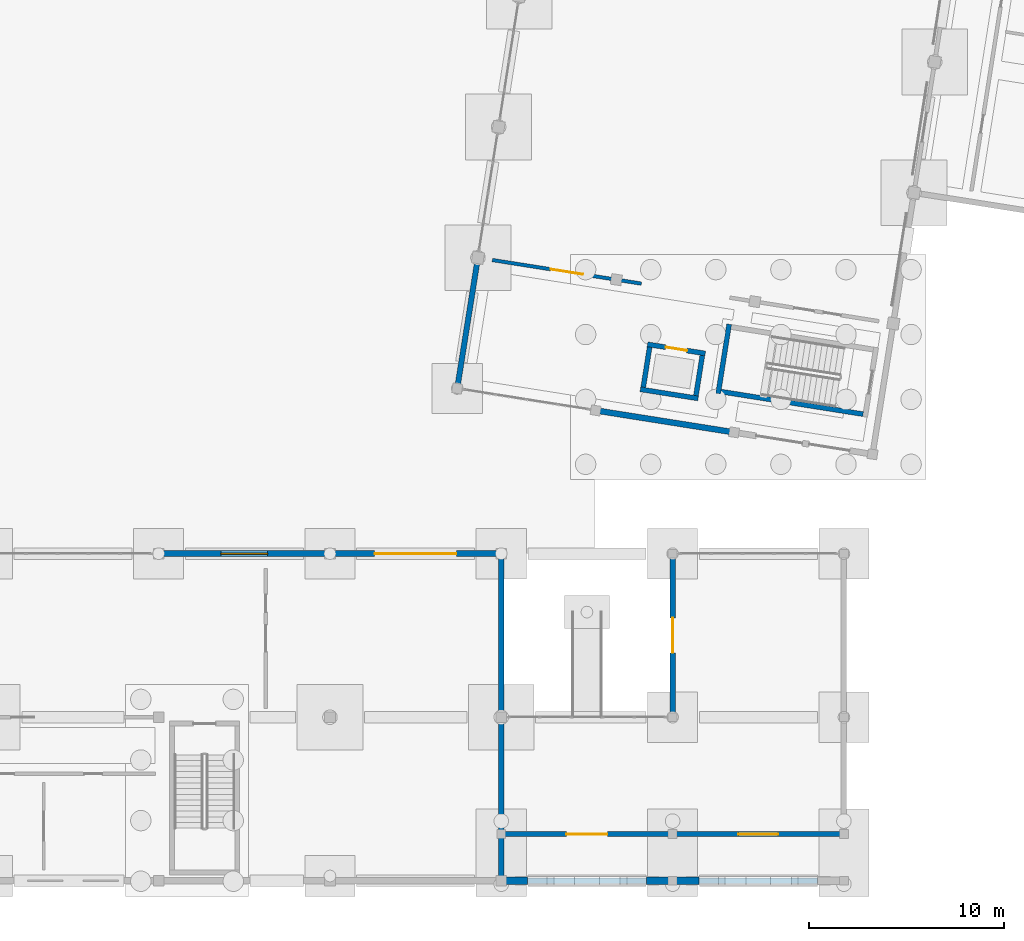
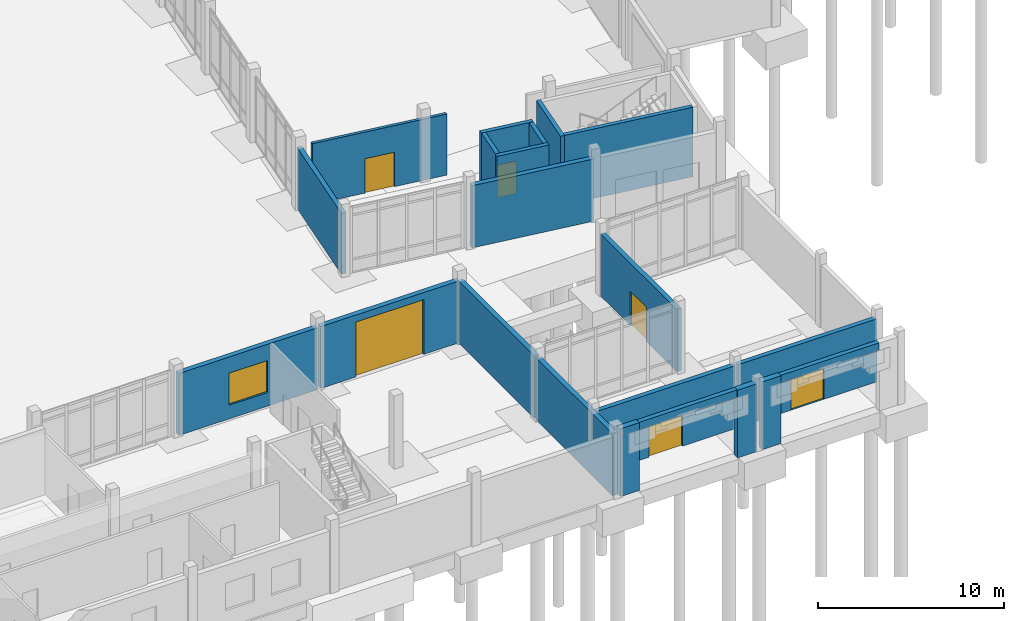
# One storey, part 45 of 72: 21 walls, 6 doors, 1 window, 7 openings.
"""IFC4 building model written with IfcOpenShell, lengths in metres."""

from ifc_helpers import new_model, si_unit, direction, frame, frame_2d, origin, place, context, subcontext, project, spatial, rectangle, extrude, material, layer, layer_set, type_object, element, fill, save


model = new_model("IFC4")

# Units and contexts
model_context = context("Model", 3, precision=1e-05, world=origin(), true_north=direction((0.0, 1.0)))
body_context = subcontext(model_context, "Body", "Model", "MODEL_VIEW")
ifc_project = project(units=[si_unit("LENGTHUNIT", "METRE"), si_unit("AREAUNIT", "SQUARE_METRE"), si_unit("VOLUMEUNIT", "CUBIC_METRE"), si_unit("PLANEANGLEUNIT", "RADIAN"), si_unit("MASSUNIT", "GRAM", prefix="KILO")], contexts=[model_context])

# Site, building, storey
site_placement = place(None, origin())
site = spatial("IfcSite", under=ifc_project, at=site_placement, CompositionType="ELEMENT")
building_placement = place(site_placement, origin())
building = spatial("IfcBuilding", under=site, at=building_placement, Name="Cinderway Yard Community Centre", CompositionType="ELEMENT")
storey_placement = place(building_placement, origin())
storey = spatial("IfcBuildingStorey", under=building, at=storey_placement, Name="L00", CompositionType="ELEMENT", Elevation=0.0)

# Walls
ifc_material_1 = material(Name="Brick Masonry", Category="masonry")
ifc_layer_1 = layer(ifc_material_1, 0.360107421875, Name="Brick Masonry")
ifc_layer_set_1 = layer_set([ifc_layer_1], Name="Brick Masonry")
wall_type_1 = type_object("IfcWallType", Name="ENV-WAL-ARCH360", PredefinedType="SOLIDWALL", material=ifc_layer_set_1)
for number, where, z_axis, x_axis, name in (
    (1, (119.3798828125, 6.0, 0.0), (0.0, 0.0, 1.0), (1.0, 0.0, 0.0), "East Storm Arcade West Niche Pier 2A ENV-WAL-L00-0200"),
    (2, (126.64990234375, 6.0, 0.0), (0.0, 0.0, 1.0), (1.0, 0.0, 0.0), "East Storm Arcade West Niche Pier 2B ENV-WAL-L00-0201"),
    (3, (128.179931640625, 6.0, 0.0), (0.0, 0.0, 1.0), (1.0, 0.0, 0.0), "East Storm Arcade East Niche Pier 3A ENV-WAL-L00-0203"),
):
    element("IfcWall", number, at=place(storey_placement, frame(where, z_axis=z_axis, x_axis=x_axis)), inside=storey, type_object=wall_type_1, Name=name, PredefinedType="SOLIDWALL", context=body_context, shape_type="SweptSolid", body=[
        extrude(rectangle(XDim=1.170166015625, YDim=0.360107421875, at=frame_2d((0.5849609375, 0.0))), origin(), (0.0, 0.0, 1.0), 4.449951171875),
    ])
ifc_material_2 = material(Name="Concrete C35/45", Category="concrete")
ifc_layer_2 = layer(ifc_material_2, 0.280029296875, Name="Concrete C35/45")
ifc_layer_set_2 = layer_set([ifc_layer_2], Name="Concrete C35/45")
wall_type_2 = type_object("IfcWallType", Name="ENV-WAL-EXT280", PredefinedType="SOLIDWALL", material=ifc_layer_set_2)
wall_1_placement = place(storey_placement, frame((116.948974609375, 31.363037109375, 0.0), z_axis=(0.0, 0.0, 1.0), x_axis=(0.156349649217, 0.987701770369, 0.0)))
element("IfcWall", 4, at=wall_1_placement, inside=storey, type_object=wall_type_2, Name="Sports Return Wall ENV-WAL-L00-0060", PredefinedType="SOLIDWALL", context=body_context, shape_type="SweptSolid", body=[
    extrude(rectangle(XDim=6.639404296875, YDim=0.280029296875, at=frame_2d((3.31982421875, 0.0))), origin(), (0.0, 0.0, 1.0), 4.006103515625),
])
for number, where, z_axis, x_axis, name in (
    (5, (120.550048828125, 6.0, 3.949951171875), (0.0, 0.0, 1.0), (1.0, 0.0, 0.0), "East Storm Arcade West Niche Spandrel 2 ENV-WAL-L00-0202"),
    (6, (129.35009765625, 6.0, 3.949951171875), (0.0, 0.0, 1.0), (1.0, 0.0, 0.0), "East Storm Arcade East Niche Spandrel 3 ENV-WAL-L00-0205"),
):
    element("IfcWall", number, at=place(storey_placement, frame(where, z_axis=z_axis, x_axis=x_axis)), inside=storey, type_object=wall_type_2, Name=name, PredefinedType="SOLIDWALL", context=body_context, shape_type="SweptSolid", body=[
        extrude(rectangle(XDim=6.099853515625, YDim=0.280029296875, at=frame_2d((3.0498046875, 0.0))), origin(), (0.0, 0.0, 1.0), 0.5),
    ])

# Wall, opening, door
wall_2_placement = place(storey_placement, frame((119.300048828125, 8.39990234375, 0.0), z_axis=(0.0, 0.0, 1.0), x_axis=(1.0, 0.0, 0.0)))
wall_2 = element("IfcWall", 7, at=wall_2_placement, inside=storey, type_object=wall_type_2, Name="East Arcade Inner Portal Wall ENV-WAL-L00-0231", PredefinedType="SOLIDWALL", context=body_context, shape_type="SweptSolid", body=[
    extrude(rectangle(XDim=8.599853515625, YDim=0.280029296875, at=frame_2d((4.2998046875, 0.0))), origin(), (0.0, 0.0, 1.0), 4.135009765625),
])
opening_1_placement = place(wall_2_placement, frame((3.25, 0.0, 0.0)))
opening_1 = element("IfcOpeningElement", 8, at=opening_1_placement, cuts=wall_2, Name="Opening D-EX2", PredefinedType="OPENING", context=body_context, shape_type="SweptSolid", body=[
    extrude(rectangle(XDim=2.10009765625, YDim=2.35009765625, at=frame_2d((1.050048828125, 1.175048828125))), frame((0.0, 0.14990234375, 0.0), z_axis=(0.0, -1.0, 0.0), x_axis=(1.0, 0.0, 0.0)), (0.0, 0.0, 1.0), 0.300048828125),
])
ifc_material_3 = material(Name="Aluminium 6063-T6", Category="aluminium")
door_type_1 = type_object("IfcDoorType", Name="INT-DOR-EXT210", OperationType="DOUBLE_DOOR_SINGLE_SWING", PredefinedType="DOOR", material=ifc_material_3)
door_1_placement = place(opening_1_placement, origin())
door_1 = element("IfcDoor", 9, at=door_1_placement, inside=storey, type_object=door_type_1, Name="East Storm Arcade Portal A EXT-DOR-L00-0082", OperationType="DOUBLE_DOOR_SINGLE_SWING", OverallHeight=2.35009765625, OverallWidth=2.10009765625, PredefinedType="DOOR", context=body_context, shape_type="SweptSolid", body=[
    extrude(rectangle(XDim=2.10009765625, YDim=2.35009765625, at=frame_2d((1.050048828125, 1.175048828125))), frame((0.0, 0.02490234375, 0.0), z_axis=(0.0, -1.0, 0.0), x_axis=(1.0, 0.0, 0.0)), (0.0, 0.0, 1.0), 0.050048828125),
])
fill(opening_1, door_1)

wall_3_placement = place(storey_placement, frame((128.10009765625, 8.39990234375, 0.0), z_axis=(0.0, 0.0, 1.0), x_axis=(1.0, 0.0, 0.0)))
wall_3 = element("IfcWall", 10, at=wall_3_placement, inside=storey, type_object=wall_type_2, Name="East Arcade Inner Portal Wall ENV-WAL-L00-0232", PredefinedType="SOLIDWALL", context=body_context, shape_type="SweptSolid", body=[
    extrude(rectangle(XDim=8.599853515625, YDim=0.280029296875, at=frame_2d((4.2998046875, 0.0))), origin(), (0.0, 0.0, 1.0), 4.135009765625),
])
opening_2_placement = place(wall_3_placement, frame((3.27490234375, 0.0, 0.0)))
opening_2 = element("IfcOpeningElement", 11, at=opening_2_placement, cuts=wall_3, Name="Opening G-04", PredefinedType="OPENING", context=body_context, shape_type="SweptSolid", body=[
    extrude(rectangle(XDim=2.050048828125, YDim=2.320068359375, at=frame_2d((1.02490234375, 1.16015625))), frame((0.0, 0.14990234375, 0.0), z_axis=(0.0, -1.0, 0.0), x_axis=(1.0, 0.0, 0.0)), (0.0, 0.0, 1.0), 0.300048828125),
])
ifc_material_4 = material(Name="Painted Galvanised Steel", Category="steel")
door_type_2 = type_object("IfcDoorType", Name="INT-GAT-YARD205", OperationType="DOUBLE_DOOR_SINGLE_SWING", PredefinedType="GATE", material=ifc_material_4)
door_2_placement = place(opening_2_placement, origin())
door_2 = element("IfcDoor", 12, at=door_2_placement, inside=storey, type_object=door_type_2, Name="East Storm Arcade Gate B EXT-DOR-L00-0083", OperationType="DOUBLE_DOOR_SINGLE_SWING", OverallHeight=2.320068359375, OverallWidth=2.050048828125, PredefinedType="GATE", context=body_context, shape_type="SweptSolid", body=[
    extrude(rectangle(XDim=2.050048828125, YDim=2.320068359375, at=frame_2d((1.02490234375, 1.16015625))), frame((0.0, 0.02490234375, 0.0), z_axis=(0.0, -1.0, 0.0), x_axis=(1.0, 0.0, 0.0)), (0.0, 0.0, 1.0), 0.050048828125),
])
fill(opening_2, door_2)

wall_4_placement = place(storey_placement, frame((128.0, 14.449951171875, 0.0), z_axis=(0.0, 0.0, 1.0), x_axis=(0.0, 1.0, 0.0)))
wall_4 = element("IfcWall", 13, at=wall_4_placement, inside=storey, type_object=wall_type_2, Name="East Arcade Flank Wall ENV-WAL-L00-0233", PredefinedType="SOLIDWALL", context=body_context, shape_type="SweptSolid", body=[
    extrude(rectangle(XDim=8.199951171875, YDim=0.280029296875, at=frame_2d((4.10009765625, 0.0))), origin(), (0.0, 0.0, 1.0), 4.0849609375),
])
opening_3_placement = place(wall_4_placement, frame((3.25, 0.0, 0.0)))
opening_3 = element("IfcOpeningElement", 14, at=opening_3_placement, cuts=wall_4, Name="Opening D-EX3", PredefinedType="OPENING", context=body_context, shape_type="SweptSolid", body=[
    extrude(rectangle(XDim=1.800048828125, YDim=2.25, at=frame_2d((0.89990234375, 1.125))), frame((0.0, 0.14990234375, 0.0), z_axis=(0.0, -1.0, 0.0), x_axis=(1.0, 0.0, 0.0)), (0.0, 0.0, 1.0), 0.300048828125),
])
door_type_3 = type_object("IfcDoorType", Name="INT-DOR-EXT180", OperationType="DOUBLE_DOOR_SINGLE_SWING", PredefinedType="DOOR", material=ifc_material_3)
door_3_placement = place(opening_3_placement, origin())
door_3 = element("IfcDoor", 15, at=door_3_placement, inside=storey, type_object=door_type_3, Name="Courtyard Arts Kiosk Exit EXT-DOR-L00-0084", OperationType="DOUBLE_DOOR_SINGLE_SWING", OverallHeight=2.25, OverallWidth=1.800048828125, PredefinedType="DOOR", context=body_context, shape_type="SweptSolid", body=[
    extrude(rectangle(XDim=1.800048828125, YDim=2.25, at=frame_2d((0.89990234375, 1.125))), frame((0.0, 0.02490234375, 0.0), z_axis=(0.0, -1.0, 0.0), x_axis=(1.0, 0.0, 0.0)), (0.0, 0.0, 1.0), 0.050048828125),
])
fill(opening_3, door_3)

# Wall
ifc_layer_3 = layer(ifc_material_1, 0.300048828125, Name="Brick Masonry")
ifc_layer_set_3 = layer_set([ifc_layer_3], Name="Brick Masonry")
wall_type_3 = type_object("IfcWallType", Name="ENV-WAL-EXT300", PredefinedType="SOLIDWALL", material=ifc_layer_set_3)
wall_5_placement = place(storey_placement, frame((124.14599609375, 30.14208984375, 0.0), z_axis=(0.0, 0.0, 1.0), x_axis=(0.987690751091, -0.156419245009, 0.0)))
element("IfcWall", 16, at=wall_5_placement, inside=storey, type_object=wall_type_3, Name="Sports South Brick Wall ENV-WAL-L00-0053", PredefinedType="SOLIDWALL", context=body_context, shape_type="SweptSolid", body=[
    extrude(rectangle(XDim=7.000244140625, YDim=0.300048828125, at=frame_2d((3.5, 0.0))), origin(), (0.0, 0.0, 1.0), 4.0849609375),
])

# Wall, opening, window
wall_6_placement = place(storey_placement, frame((101.699951171875, 22.800048828125, 0.0), z_axis=(0.0, 0.0, 1.0), x_axis=(1.0, 0.0, 0.0)))
wall_6 = element("IfcWall", 17, at=wall_6_placement, inside=storey, type_object=wall_type_3, Name="Dining North Brick Wall ENV-WAL-L00-0099", PredefinedType="SOLIDWALL", context=body_context, shape_type="SweptSolid", body=[
    extrude(rectangle(XDim=8.60009765625, YDim=0.300048828125, at=frame_2d((4.300048828125, 0.0))), origin(), (0.0, 0.0, 1.0), 4.06494140625),
])
opening_4_placement = place(wall_6_placement, frame((3.10009765625, 0.0, 0.89990234375)))
opening_4 = element("IfcOpeningElement", 18, at=opening_4_placement, cuts=wall_6, Name="Opening W-16", PredefinedType="OPENING", context=body_context, shape_type="SweptSolid", body=[
    extrude(rectangle(XDim=2.39990234375, YDim=2.10009765625, at=frame_2d((1.199951171875, 1.050048828125))), frame((0.0, 0.159912109375, 0.0), z_axis=(0.0, -1.0, 0.0), x_axis=(1.0, 0.0, 0.0)), (0.0, 0.0, 1.0), 0.320068359375),
])
ifc_material_5 = material(Name="Laminated Low-E Glass", Category="glass")
window_type = type_object("IfcWindowType", Name="ENV-WIN-W16", PartitioningType="TRIPLE_PANEL_VERTICAL", PredefinedType="WINDOW", material=ifc_material_5)
window_placement = place(opening_4_placement, origin())
window = element("IfcWindow", 19, at=window_placement, inside=storey, type_object=window_type, Name="Exterior window ENV-WIN-L00-0071", OverallHeight=2.10009765625, OverallWidth=2.39990234375, PartitioningType="SINGLE_PANEL", PredefinedType="WINDOW", context=body_context, shape_type="SweptSolid", body=[
    extrude(rectangle(XDim=2.39990234375, YDim=2.10009765625, at=frame_2d((1.199951171875, 1.050048828125))), frame((0.0, 0.030029296875, 0.0), z_axis=(0.0, -1.0, 0.0), x_axis=(1.0, 0.0, 0.0)), (0.0, 0.0, 1.0), 0.06005859375),
])
fill(opening_4, window)

# Wall, opening, door
wall_7_placement = place(storey_placement, frame((110.5, 22.800048828125, 0.0), z_axis=(0.0, 0.0, 1.0), x_axis=(1.0, 0.0, 0.0)))
wall_7 = element("IfcWall", 20, at=wall_7_placement, inside=storey, type_object=wall_type_3, Name="Loading Bay North Wall ENV-WAL-L00-0101", PredefinedType="SOLIDWALL", context=body_context, shape_type="SweptSolid", body=[
    extrude(rectangle(XDim=8.60009765625, YDim=0.300048828125, at=frame_2d((4.300048828125, 0.0))), origin(), (0.0, 0.0, 1.0), 4.06494140625),
])
opening_5_placement = place(wall_7_placement, frame((2.199951171875, 0.0, 0.0)))
opening_5 = element("IfcOpeningElement", 21, at=opening_5_placement, cuts=wall_7, Name="Opening D-GATE-01", PredefinedType="OPENING", context=body_context, shape_type="SweptSolid", body=[
    extrude(rectangle(XDim=4.199951171875, YDim=3.60009765625, at=frame_2d((2.10009765625, 1.800048828125))), frame((0.0, 0.159912109375, 0.0), z_axis=(0.0, -1.0, 0.0), x_axis=(1.0, 0.0, 0.0)), (0.0, 0.0, 1.0), 0.320068359375),
])
door_type_4 = type_object("IfcDoorType", Name="INT-GAT-LOAD420", OperationType="ROLLINGUP", PredefinedType="GATE", material=ifc_material_4)
door_4_placement = place(opening_5_placement, origin())
door_4 = element("IfcDoor", 22, at=door_4_placement, inside=storey, type_object=door_type_4, Name="Screened Loading Bay Gate EXT-DOR-L00-0072", OperationType="ROLLINGUP", OverallHeight=3.60009765625, OverallWidth=4.199951171875, PredefinedType="GATE", context=body_context, shape_type="SweptSolid", body=[
    extrude(rectangle(XDim=4.199951171875, YDim=3.60009765625, at=frame_2d((2.10009765625, 1.800048828125))), frame((0.0, 0.02490234375, 0.0), z_axis=(0.0, -1.0, 0.0), x_axis=(1.0, 0.0, 0.0)), (0.0, 0.0, 1.0), 0.050048828125),
])
fill(opening_5, door_4)

# Walls
for number, where, z_axis, x_axis, name in (
    (23, (119.199951171875, 6.10009765625, 0.0), (0.0, 0.0, 1.0), (0.0, 1.0, 0.0), "V3 East End Wall ENV-WAL-L00-0105"),
    (24, (119.199951171875, 14.5, 0.0), (0.0, 0.0, 1.0), (0.0, 1.0, 0.0), "V3 East End Wall ENV-WAL-L00-0106"),
):
    element("IfcWall", number, at=place(storey_placement, frame(where, z_axis=z_axis, x_axis=x_axis)), inside=storey, type_object=wall_type_3, Name=name, PredefinedType="SOLIDWALL", context=body_context, shape_type="SweptSolid", body=[
        extrude(rectangle(XDim=8.199951171875, YDim=0.300048828125, at=frame_2d((4.10009765625, 0.0))), origin(), (0.0, 0.0, 1.0), 4.0849609375),
    ])

# Wall, opening, door
ifc_layer_4 = layer(ifc_material_1, 0.179931640625, Name="Brick Masonry")
ifc_layer_set_4 = layer_set([ifc_layer_4], Name="Brick Masonry")
wall_type_4 = type_object("IfcWallType", Name="INT-WAL-PRT180", PredefinedType="PARTITIONING", material=ifc_layer_set_4)
wall_8_placement = place(storey_placement, frame((118.740966796875, 37.882080078125, 0.0), z_axis=(0.0, 0.0, 1.0), x_axis=(0.987690825852, -0.156418772937, 0.0)))
wall_8 = element("IfcWall", 25, at=wall_8_placement, inside=storey, type_object=wall_type_4, Name="Sports South Lobby Wall INT-PRT-L00-0252", PredefinedType="PARTITIONING", context=body_context, shape_type="SweptSolid", body=[
    extrude(rectangle(XDim=7.74951171875, YDim=0.179931640625, at=frame_2d((3.874755859375, 0.0))), origin(), (0.0, 0.0, 1.0), 4.006103515625),
])
opening_6_placement = place(wall_8_placement, frame((3.034912109375, 0.0, 0.0)))
opening_6 = element("IfcOpeningElement", 26, at=opening_6_placement, cuts=wall_8, Name="Opening D-16", PredefinedType="OPENING", context=body_context, shape_type="SweptSolid", body=[
    extrude(rectangle(XDim=1.679931640625, YDim=2.260009765625, at=frame_2d((0.83984375, 1.1298828125))), frame((0.0, 0.099853515625, 0.0), z_axis=(0.0, -1.0, 0.0), x_axis=(1.0, 0.0, 0.0)), (0.0, 0.0, 1.0), 0.199951171875),
])
ifc_material_6 = material(Name="Hardwood Timber", Category="wood")
door_type_5 = type_object("IfcDoorType", Name="INT-DOR-LIB168", OperationType="DOUBLE_DOOR_SINGLE_SWING", PredefinedType="DOOR", material=ifc_material_6)
door_5_placement = place(opening_6_placement, origin())
door_5 = element("IfcDoor", 27, at=door_5_placement, inside=storey, type_object=door_type_5, Name="Room door INT-DOR-L00-0111", OperationType="DOUBLE_DOOR_SINGLE_SWING", OverallHeight=2.260009765625, OverallWidth=1.679931640625, PredefinedType="DOOR", context=body_context, shape_type="SweptSolid", body=[
    extrude(rectangle(XDim=1.679931640625, YDim=2.260009765625, at=frame_2d((0.83984375, 1.1298828125))), frame((0.0, 0.02490234375, 0.0), z_axis=(0.0, -1.0, 0.0), x_axis=(1.0, 0.0, 0.0)), (0.0, 0.0, 1.0), 0.050048828125),
])
fill(opening_6, door_5)

# Walls
ifc_material_7 = material(Name="Concrete C40/50", Category="concrete")
ifc_layer_5 = layer(ifc_material_7, 0.25, Name="Concrete C40/50")
ifc_layer_set_5 = layer_set([ifc_layer_5], Name="Concrete C40/50")
wall_type_5 = type_object("IfcWallType", Name="INT-WAL-SHR250", PredefinedType="SHEAR", material=ifc_layer_set_5)
wall_9_placement = place(storey_placement, frame((130.340087890625, 31.01904296875, 0.0), z_axis=(0.0, 0.0, 1.0), x_axis=(0.156518291279, 0.987675060177, 0.0)))
element("IfcWall", 28, at=wall_9_placement, inside=storey, type_object=wall_type_5, Name="Stair ST-07 Back Wall INT-WAL-L00-0162", PredefinedType="SHEAR", context=body_context, shape_type="SweptSolid", body=[
    extrude(rectangle(XDim=3.609375, YDim=0.25, at=frame_2d((1.8046875, 0.0))), origin(), (0.0, 0.0, 1.0), 4.56005859375),
])
wall_10_placement = place(storey_placement, frame((137.781982421875, 29.967041015625, 0.0), z_axis=(0.0, 0.0, 1.0), x_axis=(-0.98768946156, 0.15642738738, 0.0)))
element("IfcWall", 29, at=wall_10_placement, inside=storey, type_object=wall_type_5, Name="Stair ST-07 Side Wall L INT-WAL-L00-0163", PredefinedType="SHEAR", context=body_context, shape_type="SweptSolid", body=[
    extrude(rectangle(XDim=7.39013671875, YDim=0.25, at=frame_2d((3.695068359375, 0.0))), origin(), (0.0, 0.0, 1.0), 4.56005859375),
])
wall_11_placement = place(storey_placement, frame((126.344970703125, 31.240966796875, 0.0), z_axis=(0.0, 0.0, 1.0), x_axis=(0.987712782959, -0.156280063921, 0.0)))
element("IfcWall", 30, at=wall_11_placement, inside=storey, type_object=wall_type_5, Name="Lift LF-04 South Wall INT-WAL-L00-0173", PredefinedType="SHEAR", context=body_context, shape_type="SweptSolid", body=[
    extrude(rectangle(XDim=3.0009765625, YDim=0.25, at=frame_2d((1.50048828125, 0.0))), origin(), (0.0, 0.0, 1.0), 4.56005859375),
])

# Wall, opening, door
wall_12_placement = place(storey_placement, frame((129.675048828125, 33.0830078125, 0.0), z_axis=(0.0, 0.0, 1.0), x_axis=(-0.987712782959, 0.156280063921, 0.0)))
wall_12 = element("IfcWall", 31, at=wall_12_placement, inside=storey, type_object=wall_type_5, Name="Lift LF-04 North Wall INT-WAL-L00-0174", PredefinedType="SHEAR", context=body_context, shape_type="SweptSolid", body=[
    extrude(rectangle(XDim=3.0009765625, YDim=0.25, at=frame_2d((1.50048828125, 0.0))), origin(), (0.0, 0.0, 1.0), 4.56005859375),
])
opening_7_placement = place(wall_12_placement, frame((0.949951171875, 0.0, 0.0)))
opening_7 = element("IfcOpeningElement", 32, at=opening_7_placement, cuts=wall_12, Name="Opening LD-01", PredefinedType="OPENING", context=body_context, shape_type="SweptSolid", body=[
    extrude(rectangle(XDim=1.10009765625, YDim=2.14990234375, at=frame_2d((0.550048828125, 1.074951171875))), frame((0.0, 0.135009765625, 0.0), z_axis=(0.0, -1.0, 0.0), x_axis=(1.0, 0.0, 0.0)), (0.0, 0.0, 1.0), 0.27001953125),
])
door_type_6 = type_object("IfcDoorType", Name="INT-DOR-LD01", OperationType="SLIDING_TO_LEFT", PredefinedType="DOOR", material=ifc_material_4)
door_6_placement = place(opening_7_placement, origin())
door_6 = element("IfcDoor", 33, at=door_6_placement, inside=storey, type_object=door_type_6, Name="Lift landing door INT-DOR-L00-0047", OperationType="SLIDING_TO_LEFT", OverallHeight=2.14990234375, OverallWidth=1.10009765625, PredefinedType="DOOR", context=body_context, shape_type="SweptSolid", body=[
    extrude(rectangle(XDim=1.10009765625, YDim=2.14990234375, at=frame_2d((0.550048828125, 1.074951171875))), frame((0.0, 0.02490234375, 0.0), z_axis=(0.0, -1.0, 0.0), x_axis=(1.0, 0.0, 0.0)), (0.0, 0.0, 1.0), 0.050048828125),
])
fill(opening_7, door_6)

# Walls
wall_13_placement = place(storey_placement, frame((129.199951171875, 30.919921875, 0.0), z_axis=(0.0, 0.0, 1.0), x_axis=(0.156631300583, 0.987657144802, 0.0)))
element("IfcWall", 34, at=wall_13_placement, inside=storey, type_object=wall_type_5, Name="Lift LF-04 East Wall INT-WAL-L00-0175", PredefinedType="SHEAR", context=body_context, shape_type="SweptSolid", body=[
    extrude(rectangle(XDim=2.080810546875, YDim=0.25, at=frame_2d((1.04052734375, 0.0))), origin(), (0.0, 0.0, 1.0), 4.56005859375),
])
wall_14_placement = place(storey_placement, frame((126.820068359375, 33.404052734375, 0.0), z_axis=(0.0, 0.0, 1.0), x_axis=(-0.156763910722, -0.9876361052, 0.0)))
element("IfcWall", 35, at=wall_14_placement, inside=storey, type_object=wall_type_5, Name="Lift LF-04 West Wall INT-WAL-L00-0176", PredefinedType="SHEAR", context=body_context, shape_type="SweptSolid", body=[
    extrude(rectangle(XDim=2.08056640625, YDim=0.25, at=frame_2d((1.040283203125, 0.0))), origin(), (0.0, 0.0, 1.0), 4.56005859375),
])

save(model, "model.ifc")
